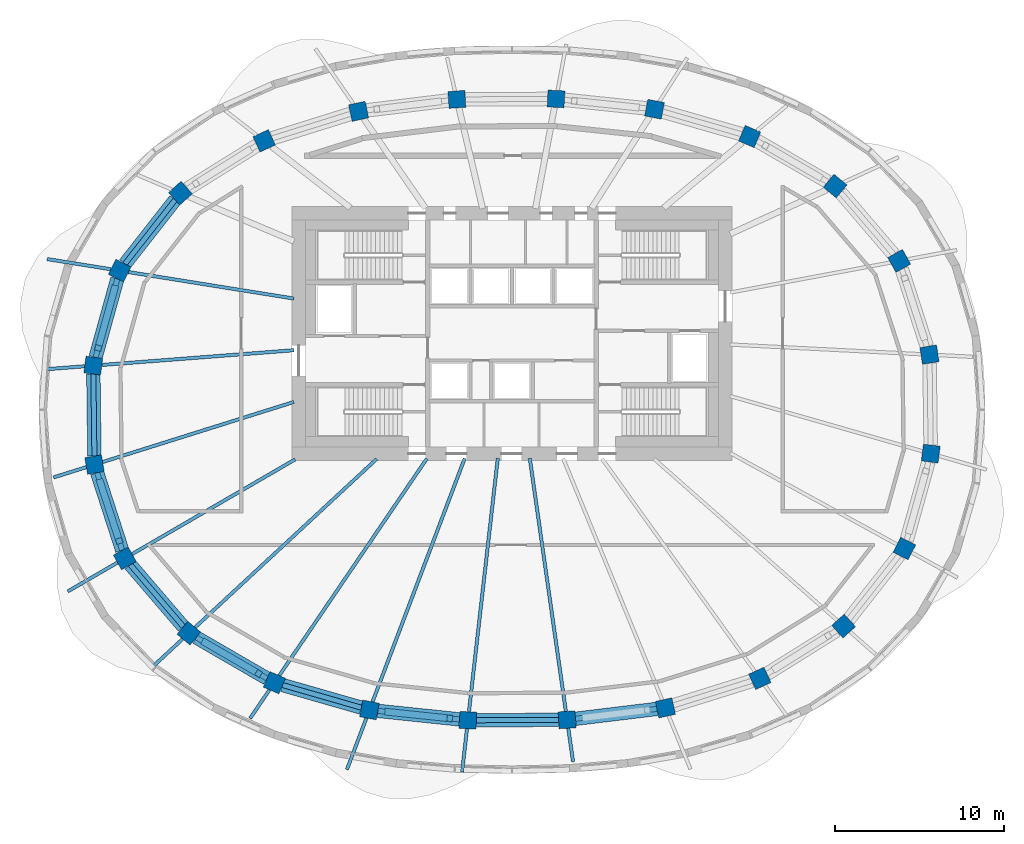
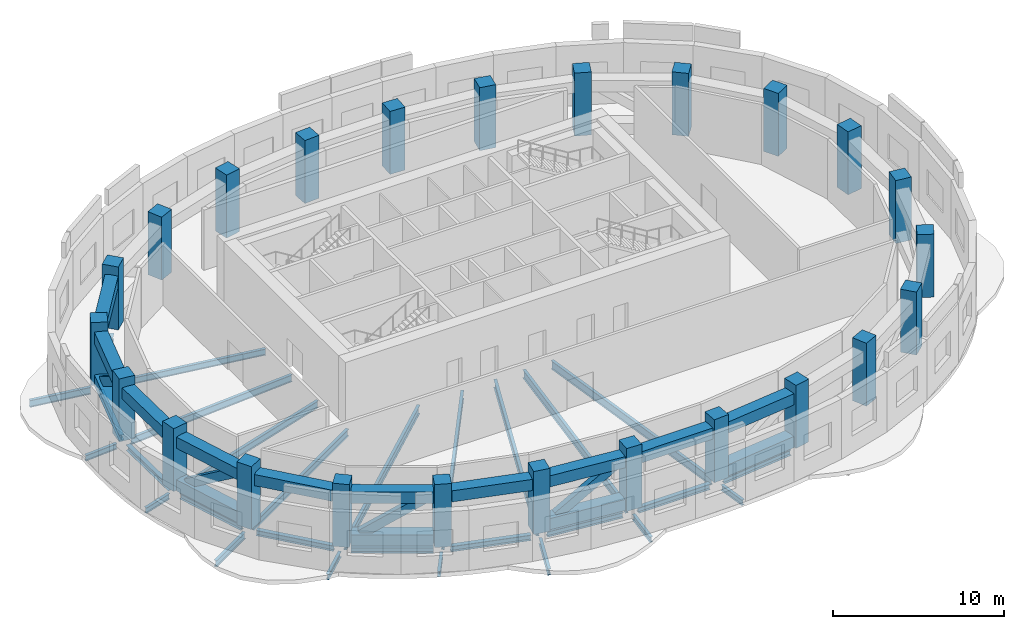
# One storey, part 1 of 9: 28 beams, 24 columns, 19 members.
"""IFC4 building model written with IfcOpenShell, lengths in metres."""

import ifcopenshell
import ifcopenshell.guid

model = None  # the IFC model being written
_history = None  # IfcOwnerHistory: only IFC2X3 demands one
_inside = {}  # id of a spatial element -> (the spatial element, [elements in it])
_under = {}  # id of a project, library or spatial element -> (it, [spatial elements below it])
_declared = {}  # id of a project -> (the project, [libraries it declares])
_typed = {}  # id of a type object -> (the type object, [elements of that type])
_made_of = {}  # id of a material, layer set ... -> (it, [elements and type objects made of it])


def new_model(schema):
    """Start an empty IFC model of exactly this schema.

    Asked for "IFC4X3", IfcOpenShell would pick the latest addendum, in which some entities
    have other attributes; the version numbers below select the first issue.
    IFC2X3 requires an IfcOwnerHistory on every rooted entity: one is made here for all.
    """
    global model, _history
    if schema == "IFC4X3":
        model = ifcopenshell.file(schema_version=(4, 3, 0, 0))
    else:
        model = ifcopenshell.file(schema=schema)
    _inside.clear()
    _under.clear()
    _declared.clear()
    _typed.clear()
    _made_of.clear()
    _history = None
    if model.schema == "IFC2X3":
        org = make("IfcOrganization", Name="unknown")
        user = make(
            "IfcPersonAndOrganization",
            ThePerson=make("IfcPerson", FamilyName="unknown"),
            TheOrganization=org,
        )
        app = make(
            "IfcApplication",
            ApplicationDeveloper=org,
            Version="unknown",
            ApplicationFullName="unknown",
            ApplicationIdentifier="unknown",
        )
        _history = make(
            "IfcOwnerHistory",
            OwningUser=user,
            OwningApplication=app,
            ChangeAction="ADDED",
            CreationDate=0,
        )
    return model


def make(cls, **values):
    """One entity of the class cls with the attributes given. An attribute that is None is left unset."""
    return model.create_entity(
        cls, **{name: value for name, value in values.items() if value is not None}
    )


def rooted(cls, **values):
    """An entity with a GlobalId (a new one), such as an element, a storey or a relation."""
    return make(cls, GlobalId=ifcopenshell.guid.new(), OwnerHistory=_history, **values)


def si_unit(unit_type, name, prefix=None):
    """IfcSIUnit, for example si_unit("LENGTHUNIT", "METRE", prefix="MILLI")."""
    return make("IfcSIUnit", UnitType=unit_type, Prefix=prefix, Name=name)


def assignment(units):
    """IfcUnitAssignment: the units of a project."""
    return None if units is None else make("IfcUnitAssignment", Units=units)


def point(xyz):
    """IfcCartesianPoint."""
    return None if xyz is None else make("IfcCartesianPoint", Coordinates=xyz)


def direction(xyz):
    """IfcDirection."""
    return None if xyz is None else make("IfcDirection", DirectionRatios=xyz)


def frame(location, z_axis=None, x_axis=None):
    """IfcAxis2Placement3D, a coordinate frame: its origin and axes. An axis left out is left unset."""
    return make(
        "IfcAxis2Placement3D",
        Location=point(location),
        Axis=direction(z_axis),
        RefDirection=direction(x_axis),
    )


def frame_2d(location, x_axis=None):
    """IfcAxis2Placement2D, a coordinate frame in the plane: its origin and x axis."""
    return make(
        "IfcAxis2Placement2D", Location=point(location), RefDirection=direction(x_axis)
    )


def origin():
    """The frame at (0, 0, 0) with its axes left unset."""
    return frame((0.0, 0.0, 0.0))


def origin_2d():
    """The frame at (0, 0) in the plane with its x axis left unset."""
    return frame_2d((0.0, 0.0))


def place(relative_to, where):
    """IfcLocalPlacement: puts the frame where relative to a parent placement (None: the world)."""
    return make(
        "IfcLocalPlacement", PlacementRelTo=relative_to, RelativePlacement=where
    )


def context(
    kind, dimensions, precision=None, world=None, true_north=None, identifier=None
):
    """IfcGeometricRepresentationContext, for example the 3D "Model" context."""
    return make(
        "IfcGeometricRepresentationContext",
        ContextIdentifier=identifier,
        ContextType=kind,
        CoordinateSpaceDimension=dimensions,
        Precision=precision,
        WorldCoordinateSystem=world,
        TrueNorth=true_north,
    )


def subcontext(parent, identifier, kind, view, scale=None):
    """IfcGeometricRepresentationSubContext, for example "Body" below "Model"."""
    return make(
        "IfcGeometricRepresentationSubContext",
        ContextIdentifier=identifier,
        ContextType=kind,
        ParentContext=parent,
        TargetScale=scale,
        TargetView=view,
    )


def project(units=None, contexts=None):
    """IfcProject with its units and contexts."""
    return rooted(
        "IfcProject",
        Name="project",
        RepresentationContexts=contexts,
        UnitsInContext=assignment(units),
    )


def spatial(cls, under=None, at=None, **own):
    """A site, building, storey or space (cls), placed at a placement, below another one or the project."""
    s = rooted(cls, ObjectPlacement=at, **own)
    if under is not None:
        _under.setdefault(under.id(), (under, []))[1].append(s)
    return s


def profile(cls, at=None, kind="AREA", **sizes):
    """A parametric profile (cls). Its sizes go by their IFC names, for example OverallWidth=200.0."""
    return make(cls, ProfileType=kind, Position=at, **sizes)


def rectangle(**sizes):
    """IfcRectangleProfileDef."""
    return profile("IfcRectangleProfileDef", **sizes)


def hollow_rectangle(**sizes):
    """IfcRectangleHollowProfileDef."""
    return profile("IfcRectangleHollowProfileDef", **sizes)


def i_section(**sizes):
    """IfcIShapeProfileDef."""
    return profile("IfcIShapeProfileDef", **sizes)


def extrude(swept, where, along, depth):
    """IfcExtrudedAreaSolid: the profile swept, set in the frame where, extruded along a direction by depth."""
    return make(
        "IfcExtrudedAreaSolid",
        SweptArea=swept,
        Position=where,
        ExtrudedDirection=direction(along),
        Depth=depth,
    )


def shape(context_of_items, identifier, shape_type, items):
    """IfcShapeRepresentation: the items that make up one representation, for example the "Body"."""
    return make(
        "IfcShapeRepresentation",
        ContextOfItems=context_of_items,
        RepresentationIdentifier=identifier,
        RepresentationType=shape_type,
        Items=items,
    )


def material(Name=None, Category=None):
    """IfcMaterial."""
    return make("IfcMaterial", Name=Name, Category=Category)


def material_profile(
    of_material, cross_section, Name=None, Category=None, Priority=None
):
    """IfcMaterialProfile: a cross section and its material."""
    return make(
        "IfcMaterialProfile",
        Name=Name,
        Material=of_material,
        Profile=cross_section,
        Priority=Priority,
        Category=Category,
    )


def profile_set(profiles, Name=None, composite=None):
    """IfcMaterialProfileSet."""
    return make(
        "IfcMaterialProfileSet",
        Name=Name,
        MaterialProfiles=profiles,
        CompositeProfile=composite,
    )


def made_of(thing, what):
    """Note that an element or type object is made of a material, layer set ...; save() writes the relation."""
    if what is not None:
        _made_of.setdefault(what.id(), (what, []))[1].append(thing)
    return thing


def type_object(cls, material=None, **own):
    """A type object (cls), such as IfcWallType, which elements share."""
    return made_of(rooted(cls, **own), material)


def element(
    cls,
    number,
    at=None,
    inside=None,
    cuts=None,
    type_object=None,
    material=None,
    context=None,
    identifier="Body",
    shape_type=None,
    held_by="IfcProductDefinitionShape",
    body=None,
    shapes=None,
    **own,
):
    """One element of the class cls, such as IfcWall. Its Tag is "e" and its number.

    at: its placement. inside: the storey or other place that contains it. cuts: it is an
    opening in that element (IfcRelVoidsElement). A single representation is given by context,
    identifier, shape_type and body (its items); several are given by shapes. held_by: the class
    of the entity that holds the representations. save() writes the other relations.
    """
    e = rooted(cls, Tag="e%d" % number, ObjectPlacement=at, **own)
    if body is not None:
        shapes = [shape(context, identifier, shape_type, body)]
    if shapes is not None:
        e.Representation = make(held_by, Representations=shapes)
    if inside is not None:
        _inside.setdefault(inside.id(), (inside, []))[1].append(e)
    if cuts is not None:
        rooted(
            "IfcRelVoidsElement", RelatingBuildingElement=cuts, RelatedOpeningElement=e
        )
    if type_object is not None:
        _typed.setdefault(type_object.id(), (type_object, []))[1].append(e)
    return made_of(e, material)


def aggregate(whole, parts):
    """IfcRelAggregates: a whole, such as a stair, and the parts it consists of."""
    return rooted("IfcRelAggregates", RelatingObject=whole, RelatedObjects=parts)


def save(model, path):
    """Write the relations noted so far, then the file.

    IfcRelAggregates (storeys below a building ...), IfcRelContainedInSpatialStructure (elements
    in a storey), IfcRelDefinesByType, IfcRelAssociatesMaterial and IfcRelDeclares: one each for
    every whole, place, type object, material and project.
    """
    for whole, parts in _under.values():
        aggregate(whole, parts)
    for where, things in _inside.values():
        rooted(
            "IfcRelContainedInSpatialStructure",
            RelatedElements=things,
            RelatingStructure=where,
        )
    for kind, things in _typed.values():
        rooted("IfcRelDefinesByType", RelatedObjects=things, RelatingType=kind)
    for what, things in _made_of.values():
        rooted("IfcRelAssociatesMaterial", RelatedObjects=things, RelatingMaterial=what)
    for by, libraries in _declared.values():
        rooted("IfcRelDeclares", RelatingContext=by, RelatedDefinitions=libraries)
    model.write(path)


model = new_model("IFC4")

# Units and contexts
model_context = context("Model", 3, precision=1e-05, world=origin(), true_north=direction((0.0, 1.0)))
body_context = subcontext(model_context, "Body", "Model", "MODEL_VIEW")
ifc_project = project(units=[si_unit("LENGTHUNIT", "METRE"), si_unit("AREAUNIT", "SQUARE_METRE"), si_unit("VOLUMEUNIT", "CUBIC_METRE"), si_unit("PLANEANGLEUNIT", "RADIAN"), si_unit("MASSUNIT", "GRAM", prefix="KILO")], contexts=[model_context])

# Site, building, storey
site_placement = place(None, origin())
site = spatial("IfcSite", under=ifc_project, at=site_placement, CompositionType="ELEMENT")
building_placement = place(site_placement, origin())
building = spatial("IfcBuilding", under=site, at=building_placement, Name="Rubra Terraces Tower", CompositionType="ELEMENT")
storey_placement = place(building_placement, frame((0.0, 0.0, 216.89990234375)))
storey = spatial("IfcBuildingStorey", under=building, at=storey_placement, Name="L53", CompositionType="ELEMENT", Elevation=216.89990234375)

# Columns
ifc_material_1 = material(Name="Concrete C50", Category="concrete")
ifc_material_profile_1 = material_profile(ifc_material_1, rectangle(XDim=1.0, YDim=1.0, at=origin_2d()), Name="RC 1000x1000")
ifc_profile_set_1 = profile_set([ifc_material_profile_1], Name="Concrete C50")
column_type = type_object("IfcColumnType", Name="RING COLUMN RC 1000x1000 C50", PredefinedType="COLUMN", material=ifc_profile_set_1)
for number, where, z_axis, x_axis, name in (
    (1, (24.6689453125, 3.248046875, 0.0), (0.0, 0.0, 1.0), (-0.161559167715, 0.986863027642, 0.0), "column-L53-ring-01"),
    (2, (22.87890625, 8.787109375, 0.0), (0.0, 0.0, 1.0), (-0.48852601316, 0.872549330678, 0.0), "column-L53-ring-02"),
    (3, (19.092041015625, 13.208984375, 0.0), (0.0, 0.0, 1.0), (-0.76886986222, 0.63940529789, 0.0), "column-L53-ring-03"),
    (4, (14.0419921875, 16.135986328125, 0.0), (0.0, 0.0, 1.0), (-0.920167856842, 0.391524092789, 0.0), "column-L53-ring-04"),
    (5, (8.422119140625, 17.7490234375, 0.0), (0.0, 0.0, 1.0), (-0.981654668733, 0.19066754143, 0.0), "column-L53-ring-05"),
    (6, (2.60205078125, 18.35791015625, 0.0), (0.0, 0.0, 1.0), (-0.998764256028, 0.049698700995, 0.0), "column-L53-ring-06"),
    (7, (-3.25390625, 18.330078125, 0.0), (0.0, 0.0, 1.0), (-0.998031548759, -0.062713855578, 0.0), "column-L53-ring-07"),
    (8, (-9.06298828125, 17.625, 0.0), (0.0, 0.0, 1.0), (-0.977652674797, -0.210226657352, 0.0), "column-L53-ring-08"),
    (9, (-14.64306640625, 15.881103515625, 0.0), (0.0, 0.0, 1.0), (-0.908778580451, -0.417278673927, 0.0), "column-L53-ring-09"),
    (10, (-19.593017578125, 12.7900390625, 0.0), (0.0, 0.0, 1.0), (-0.744021317198, -0.668155879683, 0.0), "column-L53-ring-10"),
    (11, (-23.18505859375, 8.2099609375, 0.0), (0.0, 0.0, 1.0), (-0.451027931402, -0.892509834733, 0.0), "column-L53-ring-11"),
    (12, (-24.742919921875, 2.59912109375, 0.0), (0.0, 0.0, 1.0), (-0.128443684554, -0.991716804283, 0.0), "column-L53-ring-12"),
    (13, (-24.6689453125, -3.248046875, 0.0), (0.0, 0.0, 1.0), (0.161559167715, -0.986863027642, 0.0), "column-L53-ring-13"),
    (14, (-22.87890625, -8.787109375, 0.0), (0.0, 0.0, 1.0), (0.48852601316, -0.872549330678, 0.0), "column-L53-ring-14"),
    (15, (-19.092041015625, -13.208984375, 0.0), (0.0, 0.0, 1.0), (0.76886986222, -0.63940529789, 0.0), "column-L53-ring-15"),
    (16, (-14.0419921875, -16.135986328125, 0.0), (0.0, 0.0, 1.0), (0.920167856842, -0.391524092789, 0.0), "column-L53-ring-16"),
    (17, (-8.422119140625, -17.7490234375, 0.0), (0.0, 0.0, 1.0), (0.981654668733, -0.19066754143, 0.0), "column-L53-ring-17"),
    (18, (-2.60205078125, -18.35791015625, 0.0), (0.0, 0.0, 1.0), (0.998764256028, -0.049698700995, 0.0), "column-L53-ring-18"),
    (19, (3.25390625, -18.330078125, 0.0), (0.0, 0.0, 1.0), (0.998031548759, 0.062713855578, 0.0), "column-L53-ring-19"),
    (20, (9.06298828125, -17.625, 0.0), (0.0, 0.0, 1.0), (0.977652674797, 0.210226657352, 0.0), "column-L53-ring-20"),
    (21, (14.64306640625, -15.881103515625, 0.0), (0.0, 0.0, 1.0), (0.908778580451, 0.417278673927, 0.0), "column-L53-ring-21"),
    (22, (19.593017578125, -12.7900390625, 0.0), (0.0, 0.0, 1.0), (0.744021317198, 0.668155879683, 0.0), "column-L53-ring-22"),
    (23, (23.18505859375, -8.2099609375, 0.0), (0.0, 0.0, 1.0), (0.451027931402, 0.892509834733, 0.0), "column-L53-ring-23"),
    (24, (24.742919921875, -2.59912109375, 0.0), (0.0, 0.0, 1.0), (0.128443684554, 0.991716804283, 0.0), "column-L53-ring-24"),
):
    element("IfcColumn", number, at=place(storey_placement, frame(where, z_axis=z_axis, x_axis=x_axis)), inside=storey, type_object=column_type, Name=name, PredefinedType="COLUMN", context=body_context, shape_type="SweptSolid", body=[
        extrude(rectangle(XDim=1.0, YDim=1.0, at=origin_2d()), origin(), (0.0, 0.0, 1.0), 4.5),
    ])

# Members
ifc_material_2 = material(Name="Steel Q355B", Category="steel")
ifc_material_profile_2 = material_profile(ifc_material_2, hollow_rectangle(XDim=0.800048828125, YDim=0.800048828125, WallThickness=0.0400390625, at=origin_2d()), Name="BOX 800x800x40")
ifc_profile_set_2 = profile_set([ifc_material_profile_2], Name="Steel Q355B")
member_type_1 = type_object("IfcMemberType", Name="BELT TRUSS BOTTOM CHORD R5 BOX 800x800x40", PredefinedType="CHORD", material=ifc_profile_set_2)
member_1_placement = place(storey_placement, frame((-23.319091796875, 7.72802734375, 0.400146484375), z_axis=(-0.267445424501, -0.963573009644, 0.0), x_axis=(0.963573009644, -0.267445424501, 0.0)))
element("IfcMember", 25, at=member_1_placement, inside=storey, type_object=member_type_1, Name="BELT TRUSS CHORD R5", PredefinedType="CHORD", context=body_context, shape_type="SweptSolid", body=[
    extrude(hollow_rectangle(XDim=0.800048828125, YDim=0.800048828125, WallThickness=0.0400390625, at=origin_2d()), origin(), (0.0, 0.0, 1.0), 4.82275390625),
])
member_2_placement = place(storey_placement, frame((-24.514892578125, -3.72412109375, 0.400146484375), z_axis=(0.307431894186, -0.951570086981, 0.0), x_axis=(0.951570086981, 0.307431894186, 0.0)))
element("IfcMember", 26, at=member_2_placement, inside=storey, type_object=member_type_1, Name="BELT TRUSS CHORD R5", PredefinedType="CHORD", context=body_context, shape_type="SweptSolid", body=[
    extrude(hollow_rectangle(XDim=0.800048828125, YDim=0.800048828125, WallThickness=0.0400390625, at=origin_2d()), origin(), (0.0, 0.0, 1.0), 4.8203125),
])
member_3_placement = place(storey_placement, frame((-18.658935546875, -13.4599609375, 0.400146484375), z_axis=(0.86517269903, -0.501474028095, 0.0), x_axis=(0.501474028095, 0.86517269903, 0.0)))
element("IfcMember", 27, at=member_3_placement, inside=storey, type_object=member_type_1, Name="BELT TRUSS CHORD R5", PredefinedType="CHORD", context=body_context, shape_type="SweptSolid", body=[
    extrude(hollow_rectangle(XDim=0.800048828125, YDim=0.800048828125, WallThickness=0.0400390625, at=origin_2d()), origin(), (0.0, 0.0, 1.0), 4.8359375),
])
for number, where, z_axis, x_axis, name in (
    (28, (-7.925048828125, -17.801025390625, 0.400146484375), (0.9945719697, -0.10405093506, 0.0), (0.10405093506, 0.9945719697, 0.0), "BELT TRUSS CHORD R5"),
    (29, (3.75, -18.27001953125, 0.400146484375), (0.992706801256, 0.120553750421, 0.0), (-0.120553750421, 0.992706801256, 0.0), "BELT TRUSS CHORD R5"),
):
    element("IfcMember", number, at=place(storey_placement, frame(where, z_axis=z_axis, x_axis=x_axis)), inside=storey, type_object=member_type_1, Name=name, PredefinedType="CHORD", context=body_context, shape_type="SweptSolid", body=[
        extrude(hollow_rectangle(XDim=0.800048828125, YDim=0.800048828125, WallThickness=0.0400390625, at=origin_2d()), origin(), (0.0, 0.0, 1.0), 4.852294921875),
    ])
ifc_material_profile_3 = material_profile(ifc_material_2, hollow_rectangle(XDim=0.39990234375, YDim=0.60009765625, WallThickness=0.02490234375, at=origin_2d()), Name="BOX 600x400x25")
ifc_profile_set_3 = profile_set([ifc_material_profile_3], Name="Steel Q355B")
member_type_2 = type_object("IfcMemberType", Name="BELT TRUSS DIAGONAL R5 BOX 600x400x25", PredefinedType="BRACE", material=ifc_profile_set_3)
member_4_placement = place(storey_placement, frame((-23.47412109375, 7.1708984375, 0.7001953125), z_axis=(-0.22212942363, -0.800805901682, 0.556208977804), x_axis=(0.96361610708, -0.267290101155, 0.0)))
element("IfcMember", 30, at=member_4_placement, inside=storey, type_object=member_type_2, Name="BELT TRUSS DIAGONAL R5", PredefinedType="BRACE", context=body_context, shape_type="SweptSolid", body=[
    extrude(hollow_rectangle(XDim=0.39990234375, YDim=0.60009765625, WallThickness=0.02490234375, at=origin_2d()), origin(), (0.0, 0.0, 1.0), 4.411865234375),
])
member_5_placement = place(storey_placement, frame((-24.3369140625, -4.27392578125, 0.7001953125), z_axis=(0.255318687059, -0.79070182291, 0.556419801307), x_axis=(0.951619408017, 0.307279192731, 0.0)))
element("IfcMember", 31, at=member_5_placement, inside=storey, type_object=member_type_2, Name="BELT TRUSS DIAGONAL R5", PredefinedType="BRACE", context=body_context, shape_type="SweptSolid", body=[
    extrude(hollow_rectangle(XDim=0.39990234375, YDim=0.60009765625, WallThickness=0.02490234375, at=origin_2d()), origin(), (0.0, 0.0, 1.0), 4.41015625),
])
member_6_placement = place(storey_placement, frame((-18.156982421875, -13.7509765625, 0.7001953125), z_axis=(0.719557663627, -0.417039600976, 0.555260965613), x_axis=(0.501444689065, 0.865189703943, 0.0)))
element("IfcMember", 32, at=member_6_placement, inside=storey, type_object=member_type_2, Name="BELT TRUSS DIAGONAL R5", PredefinedType="BRACE", context=body_context, shape_type="SweptSolid", body=[
    extrude(hollow_rectangle(XDim=0.39990234375, YDim=0.60009765625, WallThickness=0.02490234375, at=origin_2d()), origin(), (0.0, 0.0, 1.0), 4.419189453125),
])
member_7_placement = place(storey_placement, frame((-7.345947265625, -17.862060546875, 0.7001953125), z_axis=(0.828042073999, -0.086474841194, 0.553957061087), x_axis=(0.103868038847, 0.994591087084, 0.0)))
element("IfcMember", 33, at=member_7_placement, inside=storey, type_object=member_type_2, Name="BELT TRUSS DIAGONAL R5", PredefinedType="BRACE", context=body_context, shape_type="SweptSolid", body=[
    extrude(hollow_rectangle(XDim=0.39990234375, YDim=0.60009765625, WallThickness=0.02490234375, at=origin_2d()), origin(), (0.0, 0.0, 1.0), 4.4296875),
])
ifc_material_profile_4 = material_profile(ifc_material_2, hollow_rectangle(XDim=0.800048828125, YDim=0.800048828125, WallThickness=0.0400390625, at=origin_2d()), Name="BOX 800x800x40")
ifc_profile_set_4 = profile_set([ifc_material_profile_4], Name="Steel Q355B")
member_type_3 = type_object("IfcMemberType", Name="BELT TRUSS TOP CHORD R5 BOX 800x800x40", PredefinedType="CHORD", material=ifc_profile_set_4)
member_8_placement = place(storey_placement, frame((-19.902099609375, 12.39697265625, 3.4541015625), z_axis=(-0.616913035457, -0.787031325097, 0.0), x_axis=(0.787031325097, -0.616913035457, 0.0)))
element("IfcMember", 34, at=member_8_placement, inside=storey, type_object=member_type_3, Name="BELT TRUSS CHORD R5", PredefinedType="CHORD", context=body_context, shape_type="SweptSolid", body=[
    extrude(hollow_rectangle(XDim=0.800048828125, YDim=0.800048828125, WallThickness=0.0400390625, at=origin_2d()), origin(), (0.0, 0.0, 1.0), 4.820556640625),
])
member_9_placement = place(storey_placement, frame((-23.319091796875, 7.72802734375, 3.4541015625), z_axis=(-0.267445424501, -0.963573009644, 0.0), x_axis=(0.963573009644, -0.267445424501, 0.0)))
element("IfcMember", 35, at=member_9_placement, inside=storey, type_object=member_type_3, Name="BELT TRUSS CHORD R5", PredefinedType="CHORD", context=body_context, shape_type="SweptSolid", body=[
    extrude(hollow_rectangle(XDim=0.800048828125, YDim=0.800048828125, WallThickness=0.0400390625, at=origin_2d()), origin(), (0.0, 0.0, 1.0), 4.82275390625),
])
member_10_placement = place(storey_placement, frame((-24.737060546875, 2.09912109375, 3.4541015625), z_axis=(0.012792344936, -0.999918174608, 0.0), x_axis=(0.999918174608, 0.012792344936, 0.0)))
element("IfcMember", 36, at=member_10_placement, inside=storey, type_object=member_type_3, Name="BELT TRUSS CHORD R5", PredefinedType="CHORD", context=body_context, shape_type="SweptSolid", body=[
    extrude(hollow_rectangle(XDim=0.800048828125, YDim=0.800048828125, WallThickness=0.0400390625, at=origin_2d()), origin(), (0.0, 0.0, 1.0), 4.84765625),
])
member_11_placement = place(storey_placement, frame((-24.514892578125, -3.72412109375, 3.4541015625), z_axis=(0.307431894186, -0.951570086981, 0.0), x_axis=(0.951570086981, 0.307431894186, 0.0)))
element("IfcMember", 37, at=member_11_placement, inside=storey, type_object=member_type_3, Name="BELT TRUSS CHORD R5", PredefinedType="CHORD", context=body_context, shape_type="SweptSolid", body=[
    extrude(hollow_rectangle(XDim=0.800048828125, YDim=0.800048828125, WallThickness=0.0400390625, at=origin_2d()), origin(), (0.0, 0.0, 1.0), 4.8203125),
])
member_12_placement = place(storey_placement, frame((-22.553955078125, -9.1669921875, 3.4541015625), z_axis=(0.650553675179, -0.759460279219, 0.0), x_axis=(0.759460279219, 0.650553675179, 0.0)))
element("IfcMember", 38, at=member_12_placement, inside=storey, type_object=member_type_3, Name="BELT TRUSS CHORD R5", PredefinedType="CHORD", context=body_context, shape_type="SweptSolid", body=[
    extrude(hollow_rectangle(XDim=0.800048828125, YDim=0.800048828125, WallThickness=0.0400390625, at=origin_2d()), origin(), (0.0, 0.0, 1.0), 4.822021484375),
])
member_13_placement = place(storey_placement, frame((-18.658935546875, -13.4599609375, 3.4541015625), z_axis=(0.86517269903, -0.501474028095, 0.0), x_axis=(0.501474028095, 0.86517269903, 0.0)))
element("IfcMember", 39, at=member_13_placement, inside=storey, type_object=member_type_3, Name="BELT TRUSS CHORD R5", PredefinedType="CHORD", context=body_context, shape_type="SweptSolid", body=[
    extrude(hollow_rectangle(XDim=0.800048828125, YDim=0.800048828125, WallThickness=0.0400390625, at=origin_2d()), origin(), (0.0, 0.0, 1.0), 4.8359375),
])
member_14_placement = place(storey_placement, frame((-13.56103515625, -16.27392578125, 3.4541015625), z_axis=(0.961179095987, -0.275925253353, 0.0), x_axis=(0.275925253353, 0.961179095987, 0.0)))
element("IfcMember", 40, at=member_14_placement, inside=storey, type_object=member_type_3, Name="BELT TRUSS CHORD R5", PredefinedType="CHORD", context=body_context, shape_type="SweptSolid", body=[
    extrude(hollow_rectangle(XDim=0.800048828125, YDim=0.800048828125, WallThickness=0.0400390625, at=origin_2d()), origin(), (0.0, 0.0, 1.0), 4.84619140625),
])
member_15_placement = place(storey_placement, frame((-7.925048828125, -17.801025390625, 3.4541015625), z_axis=(0.9945719697, -0.10405093506, 0.0), x_axis=(0.10405093506, 0.9945719697, 0.0)))
element("IfcMember", 41, at=member_15_placement, inside=storey, type_object=member_type_3, Name="BELT TRUSS CHORD R5", PredefinedType="CHORD", context=body_context, shape_type="SweptSolid", body=[
    extrude(hollow_rectangle(XDim=0.800048828125, YDim=0.800048828125, WallThickness=0.0400390625, at=origin_2d()), origin(), (0.0, 0.0, 1.0), 4.852294921875),
])
member_16_placement = place(storey_placement, frame((-2.10205078125, -18.35595703125, 3.4541015625), z_axis=(0.999987862068, 0.00492703924, 0.0), x_axis=(-0.00492703924, 0.999987862068, 0.0)))
element("IfcMember", 42, at=member_16_placement, inside=storey, type_object=member_type_3, Name="BELT TRUSS CHORD R5", PredefinedType="CHORD", context=body_context, shape_type="SweptSolid", body=[
    extrude(hollow_rectangle(XDim=0.800048828125, YDim=0.800048828125, WallThickness=0.0400390625, at=origin_2d()), origin(), (0.0, 0.0, 1.0), 4.85595703125),
])
member_17_placement = place(storey_placement, frame((3.75, -18.27001953125, 3.4541015625), z_axis=(0.992706801256, 0.120553750421, 0.0), x_axis=(-0.120553750421, 0.992706801256, 0.0)))
element("IfcMember", 43, at=member_17_placement, inside=storey, type_object=member_type_3, Name="BELT TRUSS CHORD R5", PredefinedType="CHORD", context=body_context, shape_type="SweptSolid", body=[
    extrude(hollow_rectangle(XDim=0.800048828125, YDim=0.800048828125, WallThickness=0.0400390625, at=origin_2d()), origin(), (0.0, 0.0, 1.0), 4.852294921875),
])

# Beams
ifc_material_profile_5 = material_profile(ifc_material_2, i_section(OverallWidth=0.199951171875, OverallDepth=0.39990234375, WebThickness=0.008056640625, FlangeThickness=0.012939453125, at=origin_2d()), Name="HN 400x200x8x13")
ifc_profile_set_5 = profile_set([ifc_material_profile_5], Name="Steel Q355B")
beam_type_1 = type_object("IfcBeamType", Name="CANTILEVER BEAM HN 400x200x8x13", PredefinedType="BEAM", material=ifc_profile_set_5)
beam_1_placement = place(storey_placement, frame((-25.251953125, 2.56005859375, -0.5), z_axis=(-0.997072655985, -0.076459915552, 0.0), x_axis=(0.076459915552, -0.997072655985, 0.0)))
element("IfcBeam", 44, at=beam_1_placement, inside=storey, type_object=beam_type_1, Name="beam-L53-cant-12", PredefinedType="BEAM", context=body_context, shape_type="SweptSolid", body=[
    extrude(i_section(OverallWidth=0.199951171875, OverallDepth=0.39990234375, WebThickness=0.008056640625, FlangeThickness=0.012939453125, at=origin_2d()), origin(), (0.0, 0.0, 1.0), 2.20947265625),
])
beam_2_placement = place(storey_placement, frame((-25.15087890625, -3.39892578125, -0.5), z_axis=(-0.953943590819, -0.299986042235, 0.0), x_axis=(0.299986042235, -0.953943590819, 0.0)))
element("IfcBeam", 45, at=beam_2_placement, inside=storey, type_object=beam_type_1, Name="beam-L53-cant-13", PredefinedType="BEAM", context=body_context, shape_type="SweptSolid", body=[
    extrude(i_section(OverallWidth=0.199951171875, OverallDepth=0.39990234375, WebThickness=0.008056640625, FlangeThickness=0.012939453125, at=origin_2d()), origin(), (0.0, 0.0, 1.0), 2.030517578125),
])
beam_3_placement = place(storey_placement, frame((-19.4619140625, -13.552001953125, -0.5), z_axis=(-0.733131141313, -0.6800872956, 0.0), x_axis=(0.6800872956, -0.733131141313, 0.0)))
element("IfcBeam", 46, at=beam_3_placement, inside=storey, type_object=beam_type_1, Name="beam-L53-cant-15", PredefinedType="BEAM", context=body_context, shape_type="SweptSolid", body=[
    extrude(i_section(OverallWidth=0.199951171875, OverallDepth=0.39990234375, WebThickness=0.008056640625, FlangeThickness=0.012939453125, at=origin_2d()), origin(), (0.0, 0.0, 1.0), 2.4716796875),
])
beam_4_placement = place(storey_placement, frame((-14.3291015625, -16.556884765625, -0.5), z_axis=(-0.56217604695, -0.827017588831, 0.0), x_axis=(0.827017588831, -0.56217604695, 0.0)))
element("IfcBeam", 47, at=beam_4_placement, inside=storey, type_object=beam_type_1, Name="beam-L53-cant-16", PredefinedType="BEAM", context=body_context, shape_type="SweptSolid", body=[
    extrude(i_section(OverallWidth=0.199951171875, OverallDepth=0.39990234375, WebThickness=0.008056640625, FlangeThickness=0.012939453125, at=origin_2d()), origin(), (0.0, 0.0, 1.0), 2.043701171875),
])
beam_5_placement = place(storey_placement, frame((-2.658935546875, -18.85595703125, -0.5), z_axis=(-0.11286294962, -0.993610564861, 0.0), x_axis=(0.993610564861, -0.11286294962, 0.0)))
element("IfcBeam", 48, at=beam_5_placement, inside=storey, type_object=beam_type_1, Name="beam-L53-cant-18", PredefinedType="BEAM", context=body_context, shape_type="SweptSolid", body=[
    extrude(i_section(OverallWidth=0.199951171875, OverallDepth=0.39990234375, WebThickness=0.008056640625, FlangeThickness=0.012939453125, at=origin_2d()), origin(), (0.0, 0.0, 1.0), 2.578369140625),
])
beam_6_placement = place(storey_placement, frame((3.324951171875, -18.826904296875, -0.5), z_axis=(0.140978579341, -0.990012646468, 0.0), x_axis=(0.990012646468, 0.140978579341, 0.0)))
element("IfcBeam", 49, at=beam_6_placement, inside=storey, type_object=beam_type_1, Name="beam-L53-cant-19", PredefinedType="BEAM", context=body_context, shape_type="SweptSolid", body=[
    extrude(i_section(OverallWidth=0.199951171875, OverallDepth=0.39990234375, WebThickness=0.008056640625, FlangeThickness=0.012939453125, at=origin_2d()), origin(), (0.0, 0.0, 1.0), 2.007080078125),
])
ifc_material_profile_6 = material_profile(ifc_material_2, i_section(OverallWidth=0.198974609375, OverallDepth=0.446044921875, WebThickness=0.008056640625, FlangeThickness=0.011962890625, at=origin_2d()), Name="HN 446x199x8x12")
ifc_profile_set_6 = profile_set([ifc_material_profile_6], Name="Steel Q355B")
beam_type_2 = type_object("IfcBeamType", Name="CANTILEVER BEAM HN 446x199x8x12", PredefinedType="BEAM", material=ifc_profile_set_6)
beam_7_placement = place(storey_placement, frame((-23.31103515625, -9.0380859375, -0.52294921875), z_axis=(-0.864731547831, -0.50223435783, 0.0), x_axis=(0.50223435783, -0.864731547831, 0.0)))
element("IfcBeam", 50, at=beam_7_placement, inside=storey, type_object=beam_type_2, Name="beam-L53-cant-14", PredefinedType="BEAM", context=body_context, shape_type="SweptSolid", body=[
    extrude(i_section(OverallWidth=0.198974609375, OverallDepth=0.446044921875, WebThickness=0.008056640625, FlangeThickness=0.011962890625, at=origin_2d()), origin(), (0.0, 0.0, 1.0), 3.396484375),
])
beam_8_placement = place(storey_placement, frame((-8.60205078125, -18.222900390625, -0.52294921875), z_axis=(-0.353886787497, -0.935288266597, 0.0), x_axis=(0.935288266597, -0.353886787497, 0.0)))
element("IfcBeam", 51, at=beam_8_placement, inside=storey, type_object=beam_type_2, Name="beam-L53-cant-17", PredefinedType="BEAM", context=body_context, shape_type="SweptSolid", body=[
    extrude(i_section(OverallWidth=0.198974609375, OverallDepth=0.446044921875, WebThickness=0.008056640625, FlangeThickness=0.011962890625, at=origin_2d()), origin(), (0.0, 0.0, 1.0), 3.260986328125),
])
ifc_material_profile_7 = material_profile(ifc_material_2, i_section(OverallWidth=0.198974609375, OverallDepth=0.49609375, WebThickness=0.009033203125, FlangeThickness=0.013916015625, at=origin_2d()), Name="HN 496x199x9x14")
ifc_profile_set_7 = profile_set([ifc_material_profile_7], Name="Steel Q355B")
beam_type_3 = type_object("IfcBeamType", Name="CANTILEVER BEAM HN 496x199x9x14", PredefinedType="BEAM", material=ifc_profile_set_7)
beam_9_placement = place(storey_placement, frame((-23.702880859375, 8.29296875, -0.5478515625), z_axis=(-0.98745581053, 0.157895605548, 0.0), x_axis=(-0.157895605548, -0.98745581053, 0.0)))
element("IfcBeam", 52, at=beam_9_placement, inside=storey, type_object=beam_type_3, Name="beam-L53-cant-11", PredefinedType="BEAM", context=body_context, shape_type="SweptSolid", body=[
    extrude(i_section(OverallWidth=0.198974609375, OverallDepth=0.49609375, WebThickness=0.009033203125, FlangeThickness=0.013916015625, at=origin_2d()), origin(), (0.0, 0.0, 1.0), 3.81298828125),
])
ifc_material_profile_8 = material_profile(ifc_material_2, i_section(OverallWidth=0.198974609375, OverallDepth=0.446044921875, WebThickness=0.008056640625, FlangeThickness=0.011962890625, at=origin_2d()), Name="HN 446x199x8x12")
ifc_profile_set_8 = profile_set([ifc_material_profile_8], Name="Steel Q355B")
beam_type_4 = type_object("IfcBeamType", Name="FLOOR BEAM HN 446x199x8x12", PredefinedType="BEAM", material=ifc_profile_set_8)
beam_10_placement = place(storey_placement, frame((-22.6669921875, 8.126953125, -0.52294921875), z_axis=(0.987435404133, -0.158023171289, 0.0), x_axis=(0.158023171289, 0.987435404133, 0.0)))
element("IfcBeam", 53, at=beam_10_placement, inside=storey, type_object=beam_type_4, Name="beam-L53-floor-11", PredefinedType="BEAM", context=body_context, shape_type="SweptSolid", body=[
    extrude(i_section(OverallWidth=0.198974609375, OverallDepth=0.446044921875, WebThickness=0.008056640625, FlangeThickness=0.011962890625, at=origin_2d()), origin(), (0.0, 0.0, 1.0), 9.909423828125),
])
ifc_material_profile_9 = material_profile(ifc_material_2, i_section(OverallWidth=0.198974609375, OverallDepth=0.49609375, WebThickness=0.009033203125, FlangeThickness=0.013916015625, at=origin_2d()), Name="HN 496x199x9x14")
ifc_profile_set_9 = profile_set([ifc_material_profile_9], Name="Steel Q355B")
beam_type_5 = type_object("IfcBeamType", Name="FLOOR BEAM HN 496x199x9x14", PredefinedType="BEAM", material=ifc_profile_set_9)
beam_11_placement = place(storey_placement, frame((-24.23388671875, 2.637939453125, -0.5478515625), z_axis=(0.997063306908, 0.076581734234, 0.0), x_axis=(-0.076581734234, 0.997063306908, 0.0)))
element("IfcBeam", 54, at=beam_11_placement, inside=storey, type_object=beam_type_5, Name="beam-L53-floor-12", PredefinedType="BEAM", context=body_context, shape_type="SweptSolid", body=[
    extrude(i_section(OverallWidth=0.198974609375, OverallDepth=0.49609375, WebThickness=0.009033203125, FlangeThickness=0.013916015625, at=origin_2d()), origin(), (0.0, 0.0, 1.0), 11.387451171875),
])
beam_12_placement = place(storey_placement, frame((-24.18701171875, -3.096923828125, -0.5478515625), z_axis=(0.954040699023, 0.299677067204, 0.0), x_axis=(-0.299677067204, 0.954040699023, 0.0)))
element("IfcBeam", 55, at=beam_12_placement, inside=storey, type_object=beam_type_5, Name="beam-L53-floor-13", PredefinedType="BEAM", context=body_context, shape_type="SweptSolid", body=[
    extrude(i_section(OverallWidth=0.198974609375, OverallDepth=0.49609375, WebThickness=0.009033203125, FlangeThickness=0.013916015625, at=origin_2d()), origin(), (0.0, 0.0, 1.0), 11.845458984375),
])
beam_13_placement = place(storey_placement, frame((-22.447021484375, -8.535888671875, -0.5478515625), z_axis=(0.864755491844, 0.502193129508, 0.0), x_axis=(-0.502193129508, 0.864755491844, 0.0)))
element("IfcBeam", 56, at=beam_13_placement, inside=storey, type_object=beam_type_5, Name="beam-L53-floor-14", PredefinedType="BEAM", context=body_context, shape_type="SweptSolid", body=[
    extrude(i_section(OverallWidth=0.198974609375, OverallDepth=0.49609375, WebThickness=0.009033203125, FlangeThickness=0.013916015625, at=origin_2d()), origin(), (0.0, 0.0, 1.0), 11.14306640625),
])
ifc_material_profile_10 = material_profile(ifc_material_2, i_section(OverallWidth=0.198974609375, OverallDepth=0.595947265625, WebThickness=0.010009765625, FlangeThickness=0.014892578125, at=origin_2d()), Name="HN 596x199x10x15")
ifc_profile_set_10 = profile_set([ifc_material_profile_10], Name="Steel Q355B")
beam_type_6 = type_object("IfcBeamType", Name="FLOOR BEAM HN 596x199x10x15", PredefinedType="BEAM", material=ifc_profile_set_10)
beam_14_placement = place(storey_placement, frame((-18.721923828125, -12.865966796875, -0.597900390625), z_axis=(0.733130458484, 0.680088031687, 0.0), x_axis=(-0.680088031687, 0.733130458484, 0.0)))
element("IfcBeam", 57, at=beam_14_placement, inside=storey, type_object=beam_type_6, Name="beam-L53-floor-15", PredefinedType="BEAM", context=body_context, shape_type="SweptSolid", body=[
    extrude(i_section(OverallWidth=0.198974609375, OverallDepth=0.595947265625, WebThickness=0.010009765625, FlangeThickness=0.014892578125, at=origin_2d()), origin(), (0.0, 0.0, 1.0), 14.62744140625),
])
beam_15_placement = place(storey_placement, frame((-13.7548828125, -15.715087890625, -0.597900390625), z_axis=(0.562545242124, 0.826766503049, 0.0), x_axis=(-0.826766503049, 0.562545242124, 0.0)))
element("IfcBeam", 58, at=beam_15_placement, inside=storey, type_object=beam_type_6, Name="beam-L53-floor-16", PredefinedType="BEAM", context=body_context, shape_type="SweptSolid", body=[
    extrude(i_section(OverallWidth=0.198974609375, OverallDepth=0.595947265625, WebThickness=0.010009765625, FlangeThickness=0.014892578125, at=origin_2d()), origin(), (0.0, 0.0, 1.0), 15.499267578125),
])
beam_16_placement = place(storey_placement, frame((-8.241943359375, -17.27490234375, -0.597900390625), z_axis=(0.353955134415, 0.93526240319, 0.0), x_axis=(-0.93526240319, 0.353955134415, 0.0)))
element("IfcBeam", 59, at=beam_16_placement, inside=storey, type_object=beam_type_6, Name="beam-L53-floor-17", PredefinedType="BEAM", context=body_context, shape_type="SweptSolid", body=[
    extrude(i_section(OverallWidth=0.198974609375, OverallDepth=0.595947265625, WebThickness=0.010009765625, FlangeThickness=0.014892578125, at=origin_2d()), origin(), (0.0, 0.0, 1.0), 15.3828125),
])
beam_17_placement = place(storey_placement, frame((-2.544921875, -17.860107421875, -0.597900390625), z_axis=(0.113084825914, 0.993585337124, 0.0), x_axis=(-0.993585337124, 0.113084825914, 0.0)))
element("IfcBeam", 60, at=beam_17_placement, inside=storey, type_object=beam_type_6, Name="beam-L53-floor-18", PredefinedType="BEAM", context=body_context, shape_type="SweptSolid", body=[
    extrude(i_section(OverallWidth=0.198974609375, OverallDepth=0.595947265625, WebThickness=0.010009765625, FlangeThickness=0.014892578125, at=origin_2d()), origin(), (0.0, 0.0, 1.0), 15.07568359375),
])
beam_18_placement = place(storey_placement, frame((3.18310546875, -17.8330078125, -0.597900390625), z_axis=(-0.141104514479, 0.989994705033, 0.0), x_axis=(-0.989994705033, -0.141104514479, 0.0)))
element("IfcBeam", 61, at=beam_18_placement, inside=storey, type_object=beam_type_6, Name="beam-L53-floor-19", PredefinedType="BEAM", context=body_context, shape_type="SweptSolid", body=[
    extrude(i_section(OverallWidth=0.198974609375, OverallDepth=0.595947265625, WebThickness=0.010009765625, FlangeThickness=0.014892578125, at=origin_2d()), origin(), (0.0, 0.0, 1.0), 15.10302734375),
])
ifc_material_profile_11 = material_profile(ifc_material_2, i_section(OverallWidth=0.300048828125, OverallDepth=0.389892578125, WebThickness=0.010009765625, FlangeThickness=0.01611328125, at=origin_2d()), Name="HM 390x300x10x16")
ifc_profile_set_11 = profile_set([ifc_material_profile_11], Name="Steel Q355B")
beam_type_7 = type_object("IfcBeamType", Name="SPANDREL BEAM HM 390x300x10x16", PredefinedType="SPANDREL", material=ifc_profile_set_11)
beam_19_placement = place(storey_placement, frame((-19.906005859375, 12.39111328125, -0.494873046875), z_axis=(-0.617060338015, -0.786915840004, 0.0), x_axis=(0.786915840004, -0.617060338015, 0.0)))
element("IfcBeam", 62, at=beam_19_placement, inside=storey, type_object=beam_type_7, Name="beam-L53-spandrel-10", PredefinedType="SPANDREL", context=body_context, shape_type="SweptSolid", body=[
    extrude(i_section(OverallWidth=0.300048828125, OverallDepth=0.389892578125, WebThickness=0.010009765625, FlangeThickness=0.01611328125, at=origin_2d()), origin(), (0.0, 0.0, 1.0), 4.8037109375),
])
beam_20_placement = place(storey_placement, frame((-23.321044921875, 7.718994140625, -0.494873046875), z_axis=(-0.267625533012, -0.963523001324, 0.0), x_axis=(0.963523001324, -0.267625533012, 0.0)))
element("IfcBeam", 63, at=beam_20_placement, inside=storey, type_object=beam_type_7, Name="beam-L53-spandrel-11", PredefinedType="SPANDREL", context=body_context, shape_type="SweptSolid", body=[
    extrude(i_section(OverallWidth=0.300048828125, OverallDepth=0.389892578125, WebThickness=0.010009765625, FlangeThickness=0.01611328125, at=origin_2d()), origin(), (0.0, 0.0, 1.0), 4.808349609375),
])
beam_21_placement = place(storey_placement, frame((-24.737060546875, 2.093994140625, -0.494873046875), z_axis=(0.012822047643, -0.999917794168, 0.0), x_axis=(0.999917794168, 0.012822047643, 0.0)))
element("IfcBeam", 64, at=beam_21_placement, inside=storey, type_object=beam_type_7, Name="beam-L53-spandrel-12", PredefinedType="SPANDREL", context=body_context, shape_type="SweptSolid", body=[
    extrude(i_section(OverallWidth=0.300048828125, OverallDepth=0.389892578125, WebThickness=0.010009765625, FlangeThickness=0.01611328125, at=origin_2d()), origin(), (0.0, 0.0, 1.0), 4.83642578125),
])
beam_22_placement = place(storey_placement, frame((-24.512939453125, -3.72900390625, -0.494873046875), z_axis=(0.307359002872, -0.951593633519, 0.0), x_axis=(0.951593633519, 0.307359002872, 0.0)))
element("IfcBeam", 65, at=beam_22_placement, inside=storey, type_object=beam_type_7, Name="beam-L53-spandrel-13", PredefinedType="SPANDREL", context=body_context, shape_type="SweptSolid", body=[
    extrude(i_section(OverallWidth=0.300048828125, OverallDepth=0.389892578125, WebThickness=0.010009765625, FlangeThickness=0.01611328125, at=origin_2d()), origin(), (0.0, 0.0, 1.0), 4.8056640625),
])
beam_23_placement = place(storey_placement, frame((-22.547119140625, -9.174072265625, -0.494873046875), z_axis=(0.650372836218, -0.759615148552, 0.0), x_axis=(0.759615148552, 0.650372836218, 0.0)))
element("IfcBeam", 66, at=beam_23_placement, inside=storey, type_object=beam_type_7, Name="beam-L53-spandrel-14", PredefinedType="SPANDREL", context=body_context, shape_type="SweptSolid", body=[
    extrude(i_section(OverallWidth=0.300048828125, OverallDepth=0.389892578125, WebThickness=0.010009765625, FlangeThickness=0.01611328125, at=origin_2d()), origin(), (0.0, 0.0, 1.0), 4.804931640625),
])
beam_24_placement = place(storey_placement, frame((-18.653076171875, -13.462890625, -0.494873046875), z_axis=(0.865153680787, -0.501506838059, 0.0), x_axis=(0.501506838059, 0.865153680787, 0.0)))
element("IfcBeam", 67, at=beam_24_placement, inside=storey, type_object=beam_type_7, Name="beam-L53-spandrel-15", PredefinedType="SPANDREL", context=body_context, shape_type="SweptSolid", body=[
    extrude(i_section(OverallWidth=0.300048828125, OverallDepth=0.389892578125, WebThickness=0.010009765625, FlangeThickness=0.01611328125, at=origin_2d()), origin(), (0.0, 0.0, 1.0), 4.82568359375),
])
beam_25_placement = place(storey_placement, frame((-13.55810546875, -16.27490234375, -0.494873046875), z_axis=(0.961171164323, -0.275952881621, 0.0), x_axis=(0.275952881621, 0.961171164323, 0.0)))
element("IfcBeam", 68, at=beam_25_placement, inside=storey, type_object=beam_type_7, Name="beam-L53-spandrel-16", PredefinedType="SPANDREL", context=body_context, shape_type="SweptSolid", body=[
    extrude(i_section(OverallWidth=0.300048828125, OverallDepth=0.389892578125, WebThickness=0.010009765625, FlangeThickness=0.01611328125, at=origin_2d()), origin(), (0.0, 0.0, 1.0), 4.842041015625),
])
beam_26_placement = place(storey_placement, frame((-7.923095703125, -17.801025390625, -0.494873046875), z_axis=(0.994565426955, -0.104113454971, 0.0), x_axis=(0.104113454971, 0.994565426955, 0.0)))
element("IfcBeam", 69, at=beam_26_placement, inside=storey, type_object=beam_type_7, Name="beam-L53-spandrel-17", PredefinedType="SPANDREL", context=body_context, shape_type="SweptSolid", body=[
    extrude(i_section(OverallWidth=0.300048828125, OverallDepth=0.389892578125, WebThickness=0.010009765625, FlangeThickness=0.01611328125, at=origin_2d()), origin(), (0.0, 0.0, 1.0), 4.849365234375),
])
beam_27_placement = place(storey_placement, frame((-2.10107421875, -18.35595703125, -0.494873046875), z_axis=(0.999987852299, 0.004929021704, 0.0), x_axis=(-0.004929021704, 0.999987852299, 0.0)))
element("IfcBeam", 70, at=beam_27_placement, inside=storey, type_object=beam_type_7, Name="beam-L53-spandrel-18", PredefinedType="SPANDREL", context=body_context, shape_type="SweptSolid", body=[
    extrude(i_section(OverallWidth=0.300048828125, OverallDepth=0.389892578125, WebThickness=0.010009765625, FlangeThickness=0.01611328125, at=origin_2d()), origin(), (0.0, 0.0, 1.0), 4.85400390625),
])
beam_28_placement = place(storey_placement, frame((3.7509765625, -18.27001953125, -0.494873046875), z_axis=(0.992698018573, 0.120626049929, 0.0), x_axis=(-0.120626049929, 0.992698018573, 0.0)))
element("IfcBeam", 71, at=beam_28_placement, inside=storey, type_object=beam_type_7, Name="beam-L53-spandrel-19", PredefinedType="SPANDREL", context=body_context, shape_type="SweptSolid", body=[
    extrude(i_section(OverallWidth=0.300048828125, OverallDepth=0.389892578125, WebThickness=0.010009765625, FlangeThickness=0.01611328125, at=origin_2d()), origin(), (0.0, 0.0, 1.0), 4.849365234375),
])

save(model, "model.ifc")
